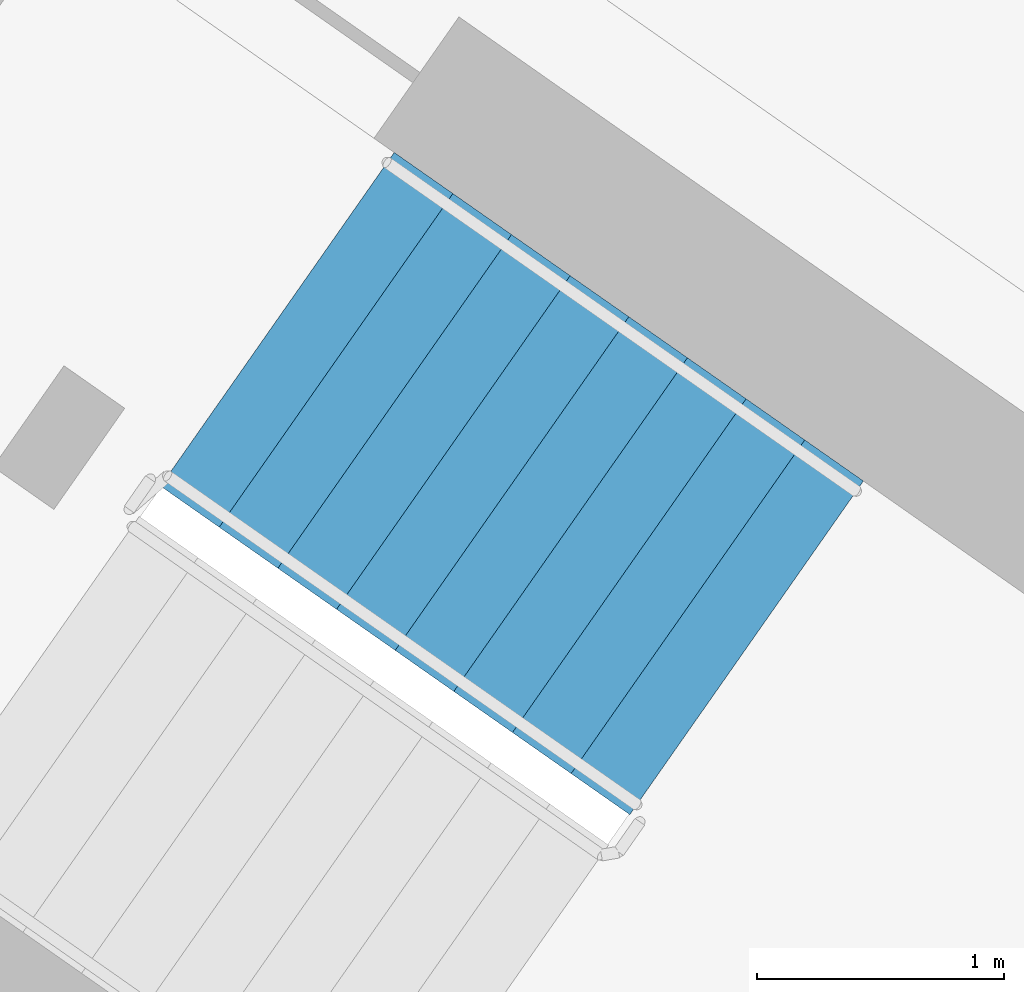
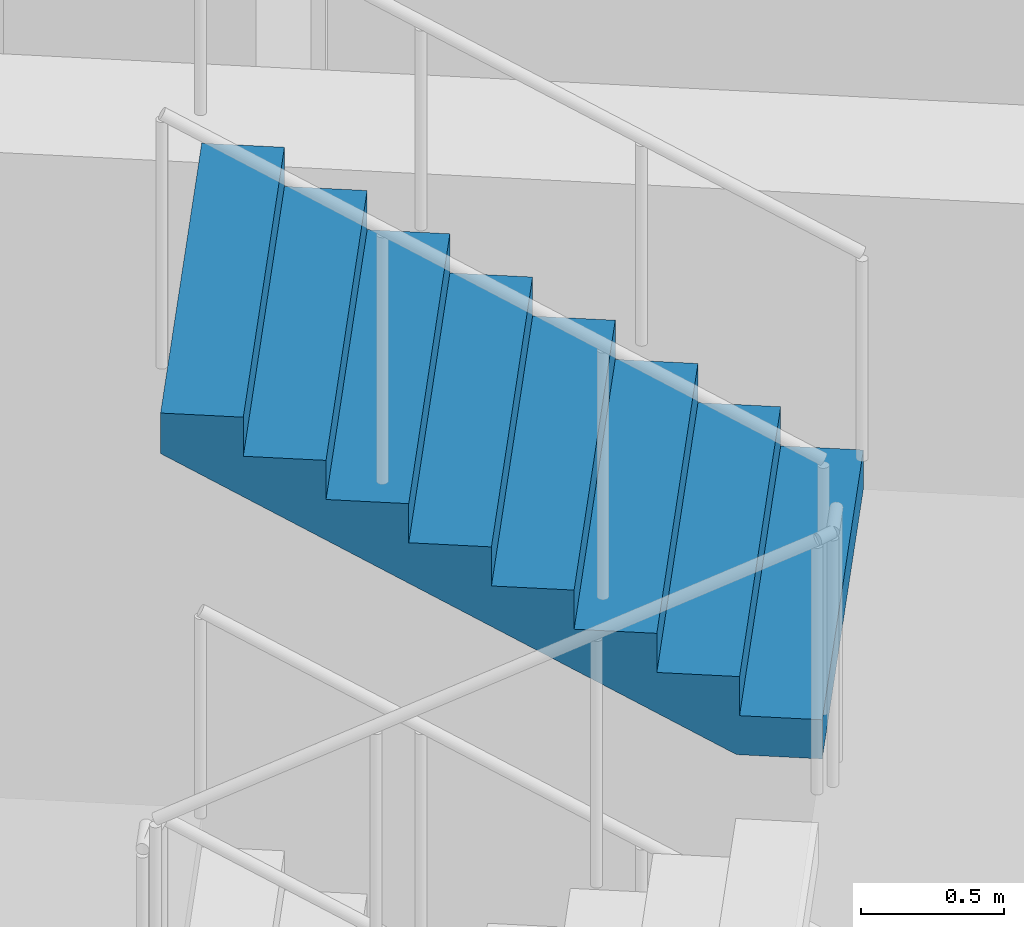
# One storey, part 13 of 41: 1 stair flight, 1 element without a shape of its own.
"""IFC4 building model written with IfcOpenShell, lengths in metres."""

from ifc_helpers import new_model, si_unit, direction, frame, origin, place, context, subcontext, project, spatial, faceted_brep, material, type_object, element, aggregate, save


model = new_model("IFC4")

# Units and contexts
model_context = context("Model", 3, precision=1e-05, world=origin(), true_north=direction((0.0, 1.0)))
body_context = subcontext(model_context, "Body", "Model", "MODEL_VIEW")
ifc_project = project(units=[si_unit("LENGTHUNIT", "METRE"), si_unit("AREAUNIT", "SQUARE_METRE"), si_unit("VOLUMEUNIT", "CUBIC_METRE"), si_unit("PLANEANGLEUNIT", "RADIAN"), si_unit("MASSUNIT", "GRAM", prefix="KILO")], contexts=[model_context])

# Site, building, storey
site_placement = place(None, origin())
site = spatial("IfcSite", under=ifc_project, at=site_placement, CompositionType="ELEMENT")
building_placement = place(site_placement, origin())
building = spatial("IfcBuilding", under=site, at=building_placement, Name="Qamariyya Broadcast Tower", CompositionType="ELEMENT")
storey_placement = place(building_placement, frame((0.0, 0.0, 284.699951171875)))
storey = spatial("IfcBuildingStorey", under=building, at=storey_placement, Name="L69", CompositionType="ELEMENT", Elevation=284.699951171875)

# Stair, stair flight
ifc_material = material(Name="Concrete C50/60", Category="concrete")
stair_type = type_object("IfcStairType", Name="Exit stair 36 risers of 167 mm", PredefinedType="HALF_TURN_STAIR", material=ifc_material)
stair_placement = place(storey_placement, origin())
stair = element("IfcStair", 1, at=stair_placement, inside=storey, type_object=stair_type, Name="L69 Stair W2", PredefinedType="HALF_TURN_STAIR")
stair_flight_type = type_object("IfcStairFlightType", Name="Exit stair flight 9 risers of 167 mm", PredefinedType="STRAIGHT", material=ifc_material)
stair_flight_placement = place(storey_placement, frame((-38.658203125, -49.015869140625, 4.5), z_axis=(0.0, 0.0, 1.0), x_axis=(-0.819152044289, 0.573576436351, 0.0)))
stair_flight = element("IfcStairFlight", 2, at=stair_flight_placement, type_object=stair_flight_type, Name="ST-W2 flight 4", NumberOfRisers=9, NumberOfTreads=8, PredefinedType="STRAIGHT", RiserHeight=0.166666667, TreadLength=0.29, context=body_context, shape_type="Brep", body=[
    faceted_brep([(0.0, 0.824951171875, 0.0), (0.0, 0.824951171875, 0.166748046875), (0.2900390625, 0.824951171875, 0.166748046875), (0.2900390625, 0.824951171875, 0.333251953125), (0.580078125, 0.824951171875, 0.333251953125), (0.580078125, 0.824951171875, 0.5), (0.8701171875, 0.824951171875, 0.5), (0.8701171875, 0.824951171875, 0.666748046875), (1.159912109375, 0.824951171875, 0.666748046875), (1.159912109375, 0.824951171875, 0.833251953125), (1.449951171875, 0.824951171875, 0.833251953125), (1.449951171875, 0.824951171875, 1.0), (1.739990234375, 0.824951171875, 1.0), (1.739990234375, 0.824951171875, 1.166748046875), (2.030029296875, 0.824951171875, 1.166748046875), (2.030029296875, 0.824951171875, 1.333251953125), (2.320068359375, 0.824951171875, 1.333251953125), (2.320068359375, 0.824951171875, 1.160400390625), (0.30078125, 0.824951171875, 0.0), (0.30078125, -0.824951171875, 0.0), (2.320068359375, -0.824951171875, 1.160400390625), (2.320068359375, -0.824951171875, 1.333251953125), (2.030029296875, -0.824951171875, 1.333251953125), (2.030029296875, -0.824951171875, 1.166748046875), (1.739990234375, -0.824951171875, 1.166748046875), (1.739990234375, -0.824951171875, 1.0), (1.449951171875, -0.824951171875, 1.0), (1.449951171875, -0.824951171875, 0.833251953125), (1.159912109375, -0.824951171875, 0.833251953125), (1.159912109375, -0.824951171875, 0.666748046875), (0.8701171875, -0.824951171875, 0.666748046875), (0.8701171875, -0.824951171875, 0.5), (0.580078125, -0.824951171875, 0.5), (0.580078125, -0.824951171875, 0.333251953125), (0.2900390625, -0.824951171875, 0.333251953125), (0.2900390625, -0.824951171875, 0.166748046875), (0.0, -0.824951171875, 0.166748046875), (0.0, -0.824951171875, 0.0), (0.0, 0.10009765625, 0.0), (0.0, 0.086669921875, 0.0), (0.0, 0.0732421875, 0.0), (0.0, 0.06005859375, 0.0), (0.0, 0.046630859375, 0.0), (0.0, 0.033447265625, 0.0), (0.0, 0.02001953125, 0.0), (0.0, 0.006591796875, 0.0), (0.0, -0.006591796875, 0.0), (0.0, -0.02001953125, 0.0), (0.0, -0.033447265625, 0.0), (0.0, -0.046630859375, 0.0), (0.0, -0.06005859375, 0.0), (0.0, -0.0732421875, 0.0), (0.0, -0.086669921875, 0.0), (0.0, -0.10009765625, 0.0), (0.0, -0.10009765625, 0.166748046875), (0.0, -0.086669921875, 0.166748046875), (0.0, -0.0732421875, 0.166748046875), (0.0, -0.06005859375, 0.166748046875), (0.0, -0.046630859375, 0.166748046875), (0.0, -0.033447265625, 0.166748046875), (0.0, -0.02001953125, 0.166748046875), (0.0, -0.006591796875, 0.166748046875), (0.0, 0.006591796875, 0.166748046875), (0.0, 0.02001953125, 0.166748046875), (0.0, 0.033447265625, 0.166748046875), (0.0, 0.046630859375, 0.166748046875), (0.0, 0.06005859375, 0.166748046875), (0.0, 0.0732421875, 0.166748046875), (0.0, 0.086669921875, 0.166748046875), (0.0, 0.10009765625, 0.166748046875), (0.2900390625, -0.10009765625, 0.166748046875), (0.2900390625, -0.086669921875, 0.166748046875), (0.2900390625, -0.0732421875, 0.166748046875), (0.2900390625, -0.06005859375, 0.166748046875), (0.2900390625, -0.046630859375, 0.166748046875), (0.2900390625, -0.033447265625, 0.166748046875), (0.2900390625, -0.02001953125, 0.166748046875), (0.2900390625, -0.006591796875, 0.166748046875), (0.2900390625, 0.006591796875, 0.166748046875), (0.2900390625, 0.02001953125, 0.166748046875), (0.2900390625, 0.033447265625, 0.166748046875), (0.2900390625, 0.046630859375, 0.166748046875), (0.2900390625, 0.06005859375, 0.166748046875), (0.2900390625, 0.0732421875, 0.166748046875), (0.2900390625, 0.086669921875, 0.166748046875), (0.2900390625, 0.10009765625, 0.166748046875), (0.2900390625, -0.10009765625, 0.333251953125), (0.2900390625, -0.086669921875, 0.333251953125), (0.2900390625, -0.0732421875, 0.333251953125), (0.2900390625, -0.06005859375, 0.333251953125), (0.2900390625, -0.046630859375, 0.333251953125), (0.2900390625, -0.033447265625, 0.333251953125), (0.2900390625, -0.02001953125, 0.333251953125), (0.2900390625, -0.006591796875, 0.333251953125), (0.2900390625, 0.006591796875, 0.333251953125), (0.2900390625, 0.02001953125, 0.333251953125), (0.2900390625, 0.033447265625, 0.333251953125), (0.2900390625, 0.046630859375, 0.333251953125), (0.2900390625, 0.06005859375, 0.333251953125), (0.2900390625, 0.0732421875, 0.333251953125), (0.2900390625, 0.086669921875, 0.333251953125), (0.2900390625, 0.10009765625, 0.333251953125), (0.580078125, -0.10009765625, 0.333251953125), (0.580078125, -0.086669921875, 0.333251953125), (0.580078125, -0.0732421875, 0.333251953125), (0.580078125, -0.06005859375, 0.333251953125), (0.580078125, -0.046630859375, 0.333251953125), (0.580078125, -0.033447265625, 0.333251953125), (0.580078125, -0.02001953125, 0.333251953125), (0.580078125, -0.006591796875, 0.333251953125), (0.580078125, 0.006591796875, 0.333251953125), (0.580078125, 0.02001953125, 0.333251953125), (0.580078125, 0.033447265625, 0.333251953125), (0.580078125, 0.046630859375, 0.333251953125), (0.580078125, 0.06005859375, 0.333251953125), (0.580078125, 0.0732421875, 0.333251953125), (0.580078125, 0.086669921875, 0.333251953125), (0.580078125, 0.10009765625, 0.333251953125), (0.580078125, -0.10009765625, 0.5), (0.580078125, -0.086669921875, 0.5), (0.580078125, -0.0732421875, 0.5), (0.580078125, -0.06005859375, 0.5), (0.580078125, -0.046630859375, 0.5), (0.580078125, -0.033447265625, 0.5), (0.580078125, -0.02001953125, 0.5), (0.580078125, -0.006591796875, 0.5), (0.580078125, 0.006591796875, 0.5), (0.580078125, 0.02001953125, 0.5), (0.580078125, 0.033447265625, 0.5), (0.580078125, 0.046630859375, 0.5), (0.580078125, 0.06005859375, 0.5), (0.580078125, 0.0732421875, 0.5), (0.580078125, 0.086669921875, 0.5), (0.580078125, 0.10009765625, 0.5), (0.8701171875, -0.10009765625, 0.5), (0.8701171875, -0.086669921875, 0.5), (0.8701171875, -0.0732421875, 0.5), (0.8701171875, -0.06005859375, 0.5), (0.8701171875, -0.046630859375, 0.5), (0.8701171875, -0.033447265625, 0.5), (0.8701171875, -0.02001953125, 0.5), (0.8701171875, -0.006591796875, 0.5), (0.8701171875, 0.006591796875, 0.5), (0.8701171875, 0.02001953125, 0.5), (0.8701171875, 0.033447265625, 0.5), (0.8701171875, 0.046630859375, 0.5), (0.8701171875, 0.06005859375, 0.5), (0.8701171875, 0.0732421875, 0.5), (0.8701171875, 0.086669921875, 0.5), (0.8701171875, 0.10009765625, 0.5), (0.8701171875, -0.10009765625, 0.666748046875), (0.8701171875, -0.086669921875, 0.666748046875), (0.8701171875, -0.0732421875, 0.666748046875), (0.8701171875, -0.06005859375, 0.666748046875), (0.8701171875, -0.046630859375, 0.666748046875), (0.8701171875, -0.033447265625, 0.666748046875), (0.8701171875, -0.02001953125, 0.666748046875), (0.8701171875, -0.006591796875, 0.666748046875), (0.8701171875, 0.006591796875, 0.666748046875), (0.8701171875, 0.02001953125, 0.666748046875), (0.8701171875, 0.033447265625, 0.666748046875), (0.8701171875, 0.046630859375, 0.666748046875), (0.8701171875, 0.06005859375, 0.666748046875), (0.8701171875, 0.0732421875, 0.666748046875), (0.8701171875, 0.086669921875, 0.666748046875), (0.8701171875, 0.10009765625, 0.666748046875), (1.159912109375, -0.10009765625, 0.666748046875), (1.159912109375, -0.086669921875, 0.666748046875), (1.159912109375, -0.0732421875, 0.666748046875), (1.159912109375, -0.06005859375, 0.666748046875), (1.159912109375, -0.046630859375, 0.666748046875), (1.159912109375, -0.033447265625, 0.666748046875), (1.159912109375, -0.02001953125, 0.666748046875), (1.159912109375, -0.006591796875, 0.666748046875), (1.159912109375, 0.006591796875, 0.666748046875), (1.159912109375, 0.02001953125, 0.666748046875), (1.159912109375, 0.033447265625, 0.666748046875), (1.159912109375, 0.046630859375, 0.666748046875), (1.159912109375, 0.06005859375, 0.666748046875), (1.159912109375, 0.0732421875, 0.666748046875), (1.159912109375, 0.086669921875, 0.666748046875), (1.159912109375, 0.10009765625, 0.666748046875), (1.159912109375, -0.10009765625, 0.833251953125), (1.159912109375, -0.086669921875, 0.833251953125), (1.159912109375, -0.0732421875, 0.833251953125), (1.159912109375, -0.06005859375, 0.833251953125), (1.159912109375, -0.046630859375, 0.833251953125), (1.159912109375, -0.033447265625, 0.833251953125), (1.159912109375, -0.02001953125, 0.833251953125), (1.159912109375, -0.006591796875, 0.833251953125), (1.159912109375, 0.006591796875, 0.833251953125), (1.159912109375, 0.02001953125, 0.833251953125), (1.159912109375, 0.033447265625, 0.833251953125), (1.159912109375, 0.046630859375, 0.833251953125), (1.159912109375, 0.06005859375, 0.833251953125), (1.159912109375, 0.0732421875, 0.833251953125), (1.159912109375, 0.086669921875, 0.833251953125), (1.159912109375, 0.10009765625, 0.833251953125), (1.449951171875, -0.10009765625, 0.833251953125), (1.449951171875, -0.086669921875, 0.833251953125), (1.449951171875, -0.0732421875, 0.833251953125), (1.449951171875, -0.06005859375, 0.833251953125), (1.449951171875, -0.046630859375, 0.833251953125), (1.449951171875, -0.033447265625, 0.833251953125), (1.449951171875, -0.02001953125, 0.833251953125), (1.449951171875, -0.006591796875, 0.833251953125), (1.449951171875, 0.006591796875, 0.833251953125), (1.449951171875, 0.02001953125, 0.833251953125), (1.449951171875, 0.033447265625, 0.833251953125), (1.449951171875, 0.046630859375, 0.833251953125), (1.449951171875, 0.06005859375, 0.833251953125), (1.449951171875, 0.0732421875, 0.833251953125), (1.449951171875, 0.086669921875, 0.833251953125), (1.449951171875, 0.10009765625, 0.833251953125), (1.449951171875, -0.10009765625, 1.0), (1.449951171875, -0.086669921875, 1.0), (1.449951171875, -0.0732421875, 1.0), (1.449951171875, -0.06005859375, 1.0), (1.449951171875, -0.046630859375, 1.0), (1.449951171875, -0.033447265625, 1.0), (1.449951171875, -0.02001953125, 1.0), (1.449951171875, -0.006591796875, 1.0), (1.449951171875, 0.006591796875, 1.0), (1.449951171875, 0.02001953125, 1.0), (1.449951171875, 0.033447265625, 1.0), (1.449951171875, 0.046630859375, 1.0), (1.449951171875, 0.06005859375, 1.0), (1.449951171875, 0.0732421875, 1.0), (1.449951171875, 0.086669921875, 1.0), (1.449951171875, 0.10009765625, 1.0), (1.739990234375, -0.10009765625, 1.0), (1.739990234375, -0.086669921875, 1.0), (1.739990234375, -0.0732421875, 1.0), (1.739990234375, -0.06005859375, 1.0), (1.739990234375, -0.046630859375, 1.0), (1.739990234375, -0.033447265625, 1.0), (1.739990234375, -0.02001953125, 1.0), (1.739990234375, -0.006591796875, 1.0), (1.739990234375, 0.006591796875, 1.0), (1.739990234375, 0.02001953125, 1.0), (1.739990234375, 0.033447265625, 1.0), (1.739990234375, 0.046630859375, 1.0), (1.739990234375, 0.06005859375, 1.0), (1.739990234375, 0.0732421875, 1.0), (1.739990234375, 0.086669921875, 1.0), (1.739990234375, 0.10009765625, 1.0), (1.739990234375, -0.10009765625, 1.166748046875), (1.739990234375, -0.086669921875, 1.166748046875), (1.739990234375, -0.0732421875, 1.166748046875), (1.739990234375, -0.06005859375, 1.166748046875), (1.739990234375, -0.046630859375, 1.166748046875), (1.739990234375, -0.033447265625, 1.166748046875), (1.739990234375, -0.02001953125, 1.166748046875), (1.739990234375, -0.006591796875, 1.166748046875), (1.739990234375, 0.006591796875, 1.166748046875), (1.739990234375, 0.02001953125, 1.166748046875), (1.739990234375, 0.033447265625, 1.166748046875), (1.739990234375, 0.046630859375, 1.166748046875), (1.739990234375, 0.06005859375, 1.166748046875), (1.739990234375, 0.0732421875, 1.166748046875), (1.739990234375, 0.086669921875, 1.166748046875), (1.739990234375, 0.10009765625, 1.166748046875), (2.030029296875, -0.10009765625, 1.166748046875), (2.030029296875, -0.086669921875, 1.166748046875), (2.030029296875, -0.0732421875, 1.166748046875), (2.030029296875, -0.06005859375, 1.166748046875), (2.030029296875, -0.046630859375, 1.166748046875), (2.030029296875, -0.033447265625, 1.166748046875), (2.030029296875, -0.02001953125, 1.166748046875), (2.030029296875, -0.006591796875, 1.166748046875), (2.030029296875, 0.006591796875, 1.166748046875), (2.030029296875, 0.02001953125, 1.166748046875), (2.030029296875, 0.033447265625, 1.166748046875), (2.030029296875, 0.046630859375, 1.166748046875), (2.030029296875, 0.06005859375, 1.166748046875), (2.030029296875, 0.0732421875, 1.166748046875), (2.030029296875, 0.086669921875, 1.166748046875), (2.030029296875, 0.10009765625, 1.166748046875), (2.030029296875, -0.10009765625, 1.333251953125), (2.030029296875, -0.086669921875, 1.333251953125), (2.030029296875, -0.0732421875, 1.333251953125), (2.030029296875, -0.06005859375, 1.333251953125), (2.030029296875, -0.046630859375, 1.333251953125), (2.030029296875, -0.033447265625, 1.333251953125), (2.030029296875, -0.02001953125, 1.333251953125), (2.030029296875, -0.006591796875, 1.333251953125), (2.030029296875, 0.006591796875, 1.333251953125), (2.030029296875, 0.02001953125, 1.333251953125), (2.030029296875, 0.033447265625, 1.333251953125), (2.030029296875, 0.046630859375, 1.333251953125), (2.030029296875, 0.06005859375, 1.333251953125), (2.030029296875, 0.0732421875, 1.333251953125), (2.030029296875, 0.086669921875, 1.333251953125), (2.030029296875, 0.10009765625, 1.333251953125), (2.320068359375, -0.10009765625, 1.333251953125), (2.320068359375, -0.086669921875, 1.333251953125), (2.320068359375, -0.0732421875, 1.333251953125), (2.320068359375, -0.06005859375, 1.333251953125), (2.320068359375, -0.046630859375, 1.333251953125), (2.320068359375, -0.033447265625, 1.333251953125), (2.320068359375, -0.02001953125, 1.333251953125), (2.320068359375, -0.006591796875, 1.333251953125), (2.320068359375, 0.006591796875, 1.333251953125), (2.320068359375, 0.02001953125, 1.333251953125), (2.320068359375, 0.033447265625, 1.333251953125), (2.320068359375, 0.046630859375, 1.333251953125), (2.320068359375, 0.06005859375, 1.333251953125), (2.320068359375, 0.0732421875, 1.333251953125), (2.320068359375, 0.086669921875, 1.333251953125), (2.320068359375, 0.10009765625, 1.333251953125), (2.320068359375, -0.10009765625, 1.160400390625), (2.320068359375, -0.086669921875, 1.160400390625), (2.320068359375, -0.0732421875, 1.160400390625), (2.320068359375, -0.06005859375, 1.160400390625), (2.320068359375, -0.046630859375, 1.160400390625), (2.320068359375, -0.033447265625, 1.160400390625), (2.320068359375, -0.02001953125, 1.160400390625), (2.320068359375, -0.006591796875, 1.160400390625), (2.320068359375, 0.006591796875, 1.160400390625), (2.320068359375, 0.02001953125, 1.160400390625), (2.320068359375, 0.033447265625, 1.160400390625), (2.320068359375, 0.046630859375, 1.160400390625), (2.320068359375, 0.06005859375, 1.160400390625), (2.320068359375, 0.0732421875, 1.160400390625), (2.320068359375, 0.086669921875, 1.160400390625), (2.320068359375, 0.10009765625, 1.160400390625), (0.30078125, -0.10009765625, 0.0), (0.30078125, -0.086669921875, 0.0), (0.30078125, -0.0732421875, 0.0), (0.30078125, -0.06005859375, 0.0), (0.30078125, -0.046630859375, 0.0), (0.30078125, -0.033447265625, 0.0), (0.30078125, -0.02001953125, 0.0), (0.30078125, -0.006591796875, 0.0), (0.30078125, 0.006591796875, 0.0), (0.30078125, 0.02001953125, 0.0), (0.30078125, 0.033447265625, 0.0), (0.30078125, 0.046630859375, 0.0), (0.30078125, 0.06005859375, 0.0), (0.30078125, 0.0732421875, 0.0), (0.30078125, 0.086669921875, 0.0), (0.30078125, 0.10009765625, 0.0)], [[[0, 1, 2, 3, 4, 5, 6, 7, 8, 9, 10, 11, 12, 13, 14, 15, 16, 17, 18]], [[19, 20, 21, 22, 23, 24, 25, 26, 27, 28, 29, 30, 31, 32, 33, 34, 35, 36, 37]], [[0, 38, 39, 40, 41, 42, 43, 44, 45, 46, 47, 48, 49, 50, 51, 52, 53, 37, 36, 54, 55, 56, 57, 58, 59, 60, 61, 62, 63, 64, 65, 66, 67, 68, 69, 1]], [[1, 69, 68, 67, 66, 65, 64, 63, 62, 61, 60, 59, 58, 57, 56, 55, 54, 36, 35, 70, 71, 72, 73, 74, 75, 76, 77, 78, 79, 80, 81, 82, 83, 84, 85, 2]], [[2, 85, 84, 83, 82, 81, 80, 79, 78, 77, 76, 75, 74, 73, 72, 71, 70, 35, 34, 86, 87, 88, 89, 90, 91, 92, 93, 94, 95, 96, 97, 98, 99, 100, 101, 3]], [[3, 101, 100, 99, 98, 97, 96, 95, 94, 93, 92, 91, 90, 89, 88, 87, 86, 34, 33, 102, 103, 104, 105, 106, 107, 108, 109, 110, 111, 112, 113, 114, 115, 116, 117, 4]], [[4, 117, 116, 115, 114, 113, 112, 111, 110, 109, 108, 107, 106, 105, 104, 103, 102, 33, 32, 118, 119, 120, 121, 122, 123, 124, 125, 126, 127, 128, 129, 130, 131, 132, 133, 5]], [[5, 133, 132, 131, 130, 129, 128, 127, 126, 125, 124, 123, 122, 121, 120, 119, 118, 32, 31, 134, 135, 136, 137, 138, 139, 140, 141, 142, 143, 144, 145, 146, 147, 148, 149, 6]], [[6, 149, 148, 147, 146, 145, 144, 143, 142, 141, 140, 139, 138, 137, 136, 135, 134, 31, 30, 150, 151, 152, 153, 154, 155, 156, 157, 158, 159, 160, 161, 162, 163, 164, 165, 7]], [[7, 165, 164, 163, 162, 161, 160, 159, 158, 157, 156, 155, 154, 153, 152, 151, 150, 30, 29, 166, 167, 168, 169, 170, 171, 172, 173, 174, 175, 176, 177, 178, 179, 180, 181, 8]], [[8, 181, 180, 179, 178, 177, 176, 175, 174, 173, 172, 171, 170, 169, 168, 167, 166, 29, 28, 182, 183, 184, 185, 186, 187, 188, 189, 190, 191, 192, 193, 194, 195, 196, 197, 9]], [[9, 197, 196, 195, 194, 193, 192, 191, 190, 189, 188, 187, 186, 185, 184, 183, 182, 28, 27, 198, 199, 200, 201, 202, 203, 204, 205, 206, 207, 208, 209, 210, 211, 212, 213, 10]], [[10, 213, 212, 211, 210, 209, 208, 207, 206, 205, 204, 203, 202, 201, 200, 199, 198, 27, 26, 214, 215, 216, 217, 218, 219, 220, 221, 222, 223, 224, 225, 226, 227, 228, 229, 11]], [[11, 229, 228, 227, 226, 225, 224, 223, 222, 221, 220, 219, 218, 217, 216, 215, 214, 26, 25, 230, 231, 232, 233, 234, 235, 236, 237, 238, 239, 240, 241, 242, 243, 244, 245, 12]], [[12, 245, 244, 243, 242, 241, 240, 239, 238, 237, 236, 235, 234, 233, 232, 231, 230, 25, 24, 246, 247, 248, 249, 250, 251, 252, 253, 254, 255, 256, 257, 258, 259, 260, 261, 13]], [[13, 261, 260, 259, 258, 257, 256, 255, 254, 253, 252, 251, 250, 249, 248, 247, 246, 24, 23, 262, 263, 264, 265, 266, 267, 268, 269, 270, 271, 272, 273, 274, 275, 276, 277, 14]], [[14, 277, 276, 275, 274, 273, 272, 271, 270, 269, 268, 267, 266, 265, 264, 263, 262, 23, 22, 278, 279, 280, 281, 282, 283, 284, 285, 286, 287, 288, 289, 290, 291, 292, 293, 15]], [[15, 293, 292, 291, 290, 289, 288, 287, 286, 285, 284, 283, 282, 281, 280, 279, 278, 22, 21, 294, 295, 296, 297, 298, 299, 300, 301, 302, 303, 304, 305, 306, 307, 308, 309, 16]], [[16, 309, 308, 307, 306, 305, 304, 303, 302, 301, 300, 299, 298, 297, 296, 295, 294, 21, 20, 310, 311, 312, 313, 314, 315, 316, 317, 318, 319, 320, 321, 322, 323, 324, 325, 17]], [[17, 325, 324, 323, 322, 321, 320, 319, 318, 317, 316, 315, 314, 313, 312, 311, 310, 20, 19, 326, 327, 328, 329, 330, 331, 332, 333, 334, 335, 336, 337, 338, 339, 340, 341, 18]], [[18, 341, 340, 339, 338, 337, 336, 335, 334, 333, 332, 331, 330, 329, 328, 327, 326, 19, 37, 53, 52, 51, 50, 49, 48, 47, 46, 45, 44, 43, 42, 41, 40, 39, 38, 0]]]),
])
aggregate(stair, [stair_flight])

save(model, "model.ifc")
